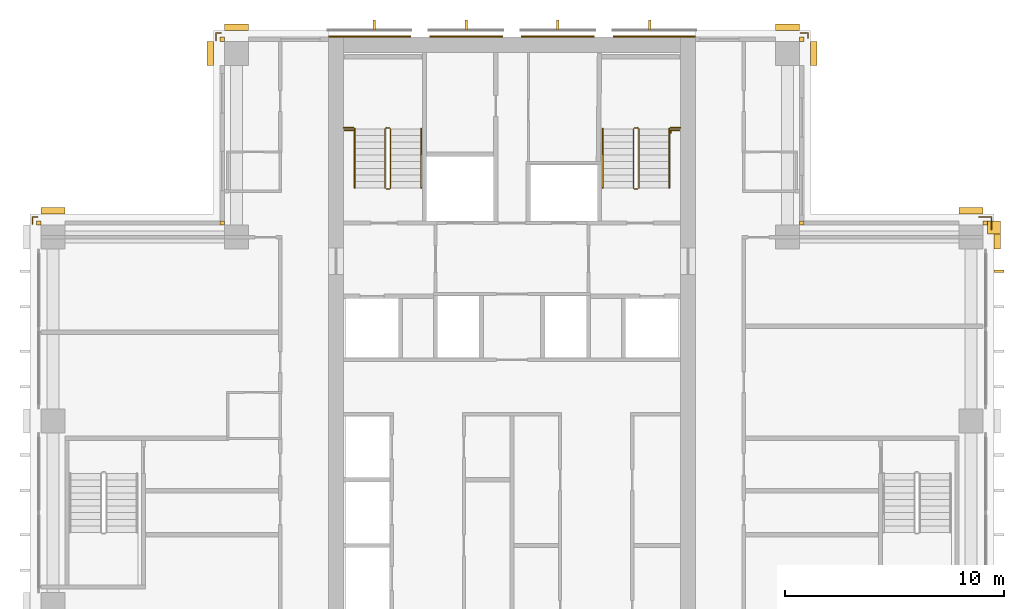
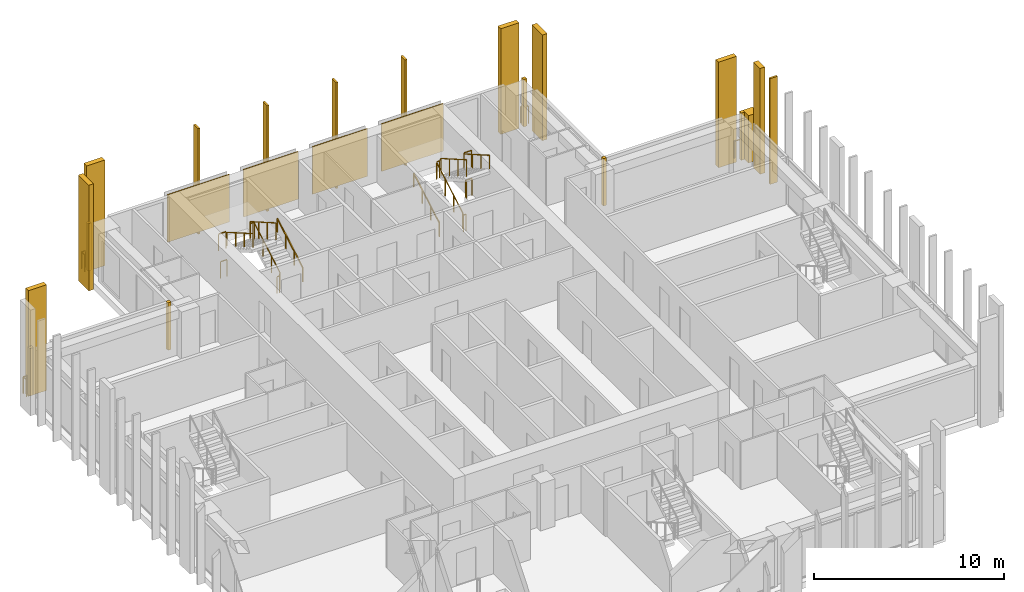
# One storey, part 16 of 16: 23 coverings, 14 railings.
"""IFC4 building model written with IfcOpenShell, lengths in metres."""

from ifc_helpers import new_model, si_unit, direction, frame, origin, origin_2d, place, context, subcontext, project, spatial, polyline, rectangle, outline, extrude, material, layer, layer_set, type_object, element, save


model = new_model("IFC4")

# Units and contexts
model_context = context("Model", 3, precision=1e-05, world=origin(), true_north=direction((0.0, 1.0)))
body_context = subcontext(model_context, "Body", "Model", "MODEL_VIEW")
ifc_project = project(units=[si_unit("LENGTHUNIT", "METRE"), si_unit("AREAUNIT", "SQUARE_METRE"), si_unit("VOLUMEUNIT", "CUBIC_METRE"), si_unit("PLANEANGLEUNIT", "RADIAN"), si_unit("MASSUNIT", "GRAM", prefix="KILO")], contexts=[model_context])

# Site, building, storey
site_placement = place(None, origin())
site = spatial("IfcSite", under=ifc_project, at=site_placement, CompositionType="ELEMENT")
building_placement = place(site_placement, origin())
building = spatial("IfcBuilding", under=site, at=building_placement, Name="Vermilion Ogive Tower", CompositionType="ELEMENT")
storey_placement = place(building_placement, frame((0.0, 0.0, 164.14990234375)))
storey = spatial("IfcBuildingStorey", under=building, at=storey_placement, Name="L42", CompositionType="ELEMENT", Elevation=164.14990234375)

# Coverings
ifc_material_1 = material(Name="Glazed ceramic screen")
ifc_layer = layer(ifc_material_1, 0.14990234375)
ifc_layer_set = layer_set([ifc_layer], Name="Ceramic solar screen fin")
covering_type_1 = type_object("IfcCoveringType", Name="Ceramic solar screen fin", PredefinedType="CLADDING", material=ifc_layer_set)
covering_1_placement = place(storey_placement, frame((0.0, 0.0, -0.39990234375)))
element("IfcCovering", 1, at=covering_1_placement, inside=storey, type_object=covering_type_1, Name="Solar screen blade E022", PredefinedType="CLADDING", context=body_context, shape_type="SweptSolid", body=[
    extrude(outline(polyline([(22.5, 10.9775390625), (22.5, 11.097412109375), (22.050048828125, 11.097412109375), (22.050048828125, 10.9775390625), (22.5, 10.9775390625)])), origin(), (0.0, 0.0, 1.0), 6.800048828125),
])
covering_2_placement = place(storey_placement, frame((0.0, 0.0, -0.39990234375)))
element("IfcCovering", 2, at=covering_2_placement, inside=storey, type_object=covering_type_1, Name="Solar screen blade N1", PredefinedType="CLADDING", context=body_context, shape_type="SweptSolid", body=[
    extrude(outline(polyline([(-6.360107421875, 22.08203125), (-6.239990234375, 22.08203125), (-6.239990234375, 22.531982421875), (-6.360107421875, 22.531982421875), (-6.360107421875, 22.08203125)])), origin(), (0.0, 0.0, 1.0), 6.800048828125),
])
covering_3_placement = place(storey_placement, frame((0.0, 0.0, -0.39990234375)))
element("IfcCovering", 3, at=covering_3_placement, inside=storey, type_object=covering_type_1, Name="Solar screen blade N2", PredefinedType="CLADDING", context=body_context, shape_type="SweptSolid", body=[
    extrude(outline(polyline([(-2.159912109375, 22.08203125), (-2.0400390625, 22.08203125), (-2.0400390625, 22.531982421875), (-2.159912109375, 22.531982421875), (-2.159912109375, 22.08203125)])), origin(), (0.0, 0.0, 1.0), 6.800048828125),
])
covering_4_placement = place(storey_placement, frame((0.0, 0.0, -0.39990234375)))
element("IfcCovering", 4, at=covering_4_placement, inside=storey, type_object=covering_type_1, Name="Solar screen blade N3", PredefinedType="CLADDING", context=body_context, shape_type="SweptSolid", body=[
    extrude(outline(polyline([(2.0400390625, 22.08203125), (2.159912109375, 22.08203125), (2.159912109375, 22.531982421875), (2.0400390625, 22.531982421875), (2.0400390625, 22.08203125)])), origin(), (0.0, 0.0, 1.0), 6.800048828125),
])
covering_5_placement = place(storey_placement, frame((0.0, 0.0, -0.39990234375)))
element("IfcCovering", 5, at=covering_5_placement, inside=storey, type_object=covering_type_1, Name="Solar screen blade N4", PredefinedType="CLADDING", context=body_context, shape_type="SweptSolid", body=[
    extrude(outline(polyline([(6.239990234375, 22.08203125), (6.360107421875, 22.08203125), (6.360107421875, 22.531982421875), (6.239990234375, 22.531982421875), (6.239990234375, 22.08203125)])), origin(), (0.0, 0.0, 1.0), 6.800048828125),
])

# Railings
ifc_material_2 = material(Name="Stainless steel", Category="steel")
railing_type_1 = type_object("IfcRailingType", Name="Slab edge guard SG1", PredefinedType="GUARDRAIL", material=ifc_material_2)
railing_1_placement = place(storey_placement, frame((-21.929931640625, 13.199951171875, 0.0)))
element("IfcRailing", 6, at=railing_1_placement, inside=storey, type_object=railing_type_1, Name="L42 slab corner guard", PredefinedType="GUARDRAIL", context=body_context, shape_type="SweptSolid", body=[
    extrude(rectangle(XDim=0.050048828125, YDim=0.050048828125, at=origin_2d()), frame((0.0, 0.0, 1.0751953125), z_axis=(0.0, 1.0, 0.0), x_axis=(-1.0, 0.0, 0.0)), (0.0, 0.0, 1.0), 0.330078125),
    extrude(rectangle(XDim=0.050048828125, YDim=0.050048828125, at=origin_2d()), frame((0.0, 0.330078125, 1.0751953125), z_axis=(1.0, 0.0, 0.0), x_axis=(0.0, 1.0, 0.0)), (0.0, 0.0, 1.0), 0.22998046875),
    extrude(rectangle(XDim=0.050048828125, YDim=0.050048828125, at=origin_2d()), origin(), (0.0, 0.0, 1.0), 1.050048828125),
    extrude(rectangle(XDim=0.050048828125, YDim=0.050048828125, at=origin_2d()), frame((0.0, 0.330078125, 0.0)), (0.0, 0.0, 1.0), 1.050048828125),
    extrude(rectangle(XDim=0.050048828125, YDim=0.050048828125, at=origin_2d()), frame((0.22998046875, 0.330078125, 0.0)), (0.0, 0.0, 1.0), 1.050048828125),
])
railing_2_placement = place(storey_placement, frame((-13.530029296875, 21.60009765625, 0.0)))
element("IfcRailing", 7, at=railing_2_placement, inside=storey, type_object=railing_type_1, Name="L42 slab corner guard", PredefinedType="GUARDRAIL", context=body_context, shape_type="SweptSolid", body=[
    extrude(rectangle(XDim=0.050048828125, YDim=0.050048828125, at=origin_2d()), frame((0.0, 0.0, 1.0751953125), z_axis=(0.0, 1.0, 0.0), x_axis=(-1.0, 0.0, 0.0)), (0.0, 0.0, 1.0), 0.329833984375),
    extrude(rectangle(XDim=0.050048828125, YDim=0.050048828125, at=origin_2d()), frame((0.0, 0.329833984375, 1.0751953125), z_axis=(1.0, 0.0, 0.0), x_axis=(0.0, 1.0, 0.0)), (0.0, 0.0, 1.0), 0.22998046875),
    extrude(rectangle(XDim=0.050048828125, YDim=0.050048828125, at=origin_2d()), origin(), (0.0, 0.0, 1.0), 1.050048828125),
    extrude(rectangle(XDim=0.050048828125, YDim=0.050048828125, at=origin_2d()), frame((0.0, 0.329833984375, 0.0)), (0.0, 0.0, 1.0), 1.050048828125),
    extrude(rectangle(XDim=0.050048828125, YDim=0.050048828125, at=origin_2d()), frame((0.22998046875, 0.329833984375, 0.0)), (0.0, 0.0, 1.0), 1.050048828125),
])
railing_3_placement = place(storey_placement, frame((13.199951171875, 21.929931640625, 0.0)))
element("IfcRailing", 8, at=railing_3_placement, inside=storey, type_object=railing_type_1, Name="L42 slab corner guard", PredefinedType="GUARDRAIL", context=body_context, shape_type="SweptSolid", body=[
    extrude(rectangle(XDim=0.050048828125, YDim=0.050048828125, at=origin_2d()), frame((0.0, 0.0, 1.0751953125), z_axis=(1.0, 0.0, 0.0), x_axis=(0.0, 1.0, 0.0)), (0.0, 0.0, 1.0), 0.330078125),
    extrude(rectangle(XDim=0.050048828125, YDim=0.050048828125, at=origin_2d()), frame((0.330078125, 0.0, 1.0751953125), z_axis=(0.0, -1.0, 0.0), x_axis=(1.0, 0.0, 0.0)), (0.0, 0.0, 1.0), 0.22998046875),
    extrude(rectangle(XDim=0.050048828125, YDim=0.050048828125, at=origin_2d()), origin(), (0.0, 0.0, 1.0), 1.050048828125),
    extrude(rectangle(XDim=0.050048828125, YDim=0.050048828125, at=origin_2d()), frame((0.330078125, 0.0, 0.0)), (0.0, 0.0, 1.0), 1.050048828125),
    extrude(rectangle(XDim=0.050048828125, YDim=0.050048828125, at=origin_2d()), frame((0.330078125, -0.22998046875, 0.0)), (0.0, 0.0, 1.0), 1.050048828125),
])
railing_4_placement = place(storey_placement, frame((21.929931640625, 12.949951171875, 0.0)))
element("IfcRailing", 9, at=railing_4_placement, inside=storey, type_object=railing_type_1, Name="L42 slab corner guard", PredefinedType="GUARDRAIL", context=body_context, shape_type="SweptSolid", body=[
    extrude(rectangle(XDim=0.050048828125, YDim=0.050048828125, at=origin_2d()), frame((0.0, 0.0, 1.0751953125), z_axis=(0.0, 1.0, 0.0), x_axis=(-1.0, 0.0, 0.0)), (0.0, 0.0, 1.0), 0.580078125),
    extrude(rectangle(XDim=0.050048828125, YDim=0.050048828125, at=origin_2d()), frame((0.0, 0.580078125, 1.0751953125), z_axis=(-1.0, 0.0, 0.0), x_axis=(0.0, -1.0, 0.0)), (0.0, 0.0, 1.0), 0.579833984375),
    extrude(rectangle(XDim=0.050048828125, YDim=0.050048828125, at=origin_2d()), origin(), (0.0, 0.0, 1.0), 1.050048828125),
    extrude(rectangle(XDim=0.050048828125, YDim=0.050048828125, at=origin_2d()), frame((0.0, 0.580078125, 0.0)), (0.0, 0.0, 1.0), 1.050048828125),
    extrude(rectangle(XDim=0.050048828125, YDim=0.050048828125, at=origin_2d()), frame((-0.579833984375, 0.580078125, 0.0)), (0.0, 0.0, 1.0), 1.050048828125),
])
ifc_material_3 = material(Name="Steel S355 painted", Category="steel")
railing_type_2 = type_object("IfcRailingType", Name="Stair guard 1100", PredefinedType="GUARDRAIL", material=ifc_material_3)
railing_5_placement = place(storey_placement, frame((-5.75, 14.800048828125, 0.0)))
element("IfcRailing", 10, at=railing_5_placement, inside=storey, type_object=railing_type_2, Name="L42 ST1 stair guard 4", PredefinedType="GUARDRAIL", context=body_context, shape_type="SweptSolid", body=[
    extrude(rectangle(XDim=0.048095703125, YDim=0.048095703125, at=origin_2d()), frame((0.0, 0.0, 1.076171875), z_axis=(1.0, 0.0, 0.0), x_axis=(0.0, 1.0, 0.0)), (0.0, 0.0, 1.0), 0.14990234375),
    extrude(rectangle(XDim=0.048095703125, YDim=0.048095703125, at=origin_2d()), frame((0.14990234375, 0.0, 1.076171875), z_axis=(0.268277960024, 0.268277960024, 0.925231793839), x_axis=(-0.707106781187, 0.707106781187, 0.0)), (0.0, 0.0, 1.0), 0.1865234375),
    extrude(rectangle(XDim=0.048095703125, YDim=0.048095703125, at=origin_2d()), frame((0.199951171875, 0.050048828125, 1.24853515625), z_axis=(0.0, 0.866903762492, 0.498475542607), x_axis=(-1.0, 0.0, 0.0)), (0.0, 0.0, 1.0), 3.114501953125),
    extrude(rectangle(XDim=0.048095703125, YDim=0.048095703125, at=origin_2d()), frame((0.199951171875, 2.75, 2.80126953125), z_axis=(-0.707106781187, 0.707106781187, 0.0), x_axis=(-0.707106781187, -0.707106781187, 0.0)), (0.0, 0.0, 1.0), 0.07080078125),
    extrude(rectangle(XDim=0.048095703125, YDim=0.048095703125, at=origin_2d()), frame((0.14990234375, 2.800048828125, 2.80126953125), z_axis=(-1.0, 0.0, 0.0), x_axis=(0.0, -1.0, 0.0)), (0.0, 0.0, 1.0), 0.14990234375),
    extrude(rectangle(XDim=0.048095703125, YDim=0.048095703125, at=origin_2d()), frame((0.0, 2.800048828125, 2.80126953125), z_axis=(-0.268277960024, -0.268277960024, 0.925231793839), x_axis=(0.707106781187, -0.707106781187, 0.0)), (0.0, 0.0, 1.0), 0.1865234375),
    extrude(rectangle(XDim=0.048095703125, YDim=0.048095703125, at=origin_2d()), frame((-0.050048828125, 2.75, 2.9736328125), z_axis=(0.0, -0.866903762492, 0.498475542607), x_axis=(1.0, 0.0, 0.0)), (0.0, 0.0, 1.0), 3.114501953125),
    extrude(rectangle(XDim=0.0419921875, YDim=0.0419921875, at=origin_2d()), origin(), (0.0, 0.0, 1.0), 1.052001953125),
    extrude(rectangle(XDim=0.0419921875, YDim=0.0419921875, at=origin_2d()), frame((0.14990234375, 0.0, 0.0)), (0.0, 0.0, 1.0), 1.052001953125),
    extrude(rectangle(XDim=0.0419921875, YDim=0.0419921875, at=origin_2d()), frame((0.199951171875, 0.050048828125, 0.172607421875)), (0.0, 0.0, 1.0), 1.052001953125),
    extrude(rectangle(XDim=0.0419921875, YDim=0.0419921875, at=origin_2d()), frame((0.199951171875, 0.949951171875, 0.690185546875)), (0.0, 0.0, 1.0), 1.052001953125),
    extrude(rectangle(XDim=0.0419921875, YDim=0.0419921875, at=origin_2d()), frame((0.199951171875, 1.85009765625, 1.20751953125)), (0.0, 0.0, 1.0), 1.052001953125),
    extrude(rectangle(XDim=0.0419921875, YDim=0.0419921875, at=origin_2d()), frame((0.199951171875, 2.75, 1.72509765625)), (0.0, 0.0, 1.0), 1.052001953125),
    extrude(rectangle(XDim=0.0419921875, YDim=0.0419921875, at=origin_2d()), frame((0.14990234375, 2.800048828125, 1.72509765625)), (0.0, 0.0, 1.0), 1.052001953125),
    extrude(rectangle(XDim=0.0419921875, YDim=0.0419921875, at=origin_2d()), frame((0.0, 2.800048828125, 1.72509765625)), (0.0, 0.0, 1.0), 1.052001953125),
    extrude(rectangle(XDim=0.0419921875, YDim=0.0419921875, at=origin_2d()), frame((-0.050048828125, 2.75, 1.897705078125)), (0.0, 0.0, 1.0), 1.052001953125),
    extrude(rectangle(XDim=0.0419921875, YDim=0.0419921875, at=origin_2d()), frame((-0.050048828125, 1.85009765625, 2.415283203125)), (0.0, 0.0, 1.0), 1.052001953125),
    extrude(rectangle(XDim=0.0419921875, YDim=0.0419921875, at=origin_2d()), frame((-0.050048828125, 0.949951171875, 2.9326171875)), (0.0, 0.0, 1.0), 1.052001953125),
    extrude(rectangle(XDim=0.0419921875, YDim=0.0419921875, at=origin_2d()), frame((-0.050048828125, 0.050048828125, 3.4501953125)), (0.0, 0.0, 1.0), 1.052001953125),
])
railing_6_placement = place(storey_placement, frame((5.75, 14.800048828125, 0.0)))
element("IfcRailing", 11, at=railing_6_placement, inside=storey, type_object=railing_type_2, Name="L42 ST2 stair guard 4", PredefinedType="GUARDRAIL", context=body_context, shape_type="SweptSolid", body=[
    extrude(rectangle(XDim=0.048095703125, YDim=0.048095703125, at=origin_2d()), frame((0.0, 0.0, 1.076171875), z_axis=(-1.0, 0.0, 0.0), x_axis=(0.0, -1.0, 0.0)), (0.0, 0.0, 1.0), 0.14990234375),
    extrude(rectangle(XDim=0.048095703125, YDim=0.048095703125, at=origin_2d()), frame((-0.14990234375, 0.0, 1.076171875), z_axis=(-0.268277960024, 0.268277960024, 0.925231793839), x_axis=(-0.707106781187, -0.707106781187, 0.0)), (0.0, 0.0, 1.0), 0.1865234375),
    extrude(rectangle(XDim=0.048095703125, YDim=0.048095703125, at=origin_2d()), frame((-0.199951171875, 0.050048828125, 1.24853515625), z_axis=(0.0, 0.866903762492, 0.498475542607), x_axis=(-1.0, 0.0, 0.0)), (0.0, 0.0, 1.0), 3.114501953125),
    extrude(rectangle(XDim=0.048095703125, YDim=0.048095703125, at=origin_2d()), frame((-0.199951171875, 2.75, 2.80126953125), z_axis=(0.707106781187, 0.707106781187, 0.0), x_axis=(-0.707106781187, 0.707106781187, 0.0)), (0.0, 0.0, 1.0), 0.07080078125),
    extrude(rectangle(XDim=0.048095703125, YDim=0.048095703125, at=origin_2d()), frame((-0.14990234375, 2.800048828125, 2.80126953125), z_axis=(1.0, 0.0, 0.0), x_axis=(0.0, 1.0, 0.0)), (0.0, 0.0, 1.0), 0.14990234375),
    extrude(rectangle(XDim=0.048095703125, YDim=0.048095703125, at=origin_2d()), frame((0.0, 2.800048828125, 2.80126953125), z_axis=(0.268277960024, -0.268277960024, 0.925231793839), x_axis=(0.707106781187, 0.707106781187, 0.0)), (0.0, 0.0, 1.0), 0.1865234375),
    extrude(rectangle(XDim=0.048095703125, YDim=0.048095703125, at=origin_2d()), frame((0.050048828125, 2.75, 2.9736328125), z_axis=(0.0, -0.866903762492, 0.498475542607), x_axis=(1.0, 0.0, 0.0)), (0.0, 0.0, 1.0), 3.114501953125),
    extrude(rectangle(XDim=0.0419921875, YDim=0.0419921875, at=origin_2d()), origin(), (0.0, 0.0, 1.0), 1.052001953125),
    extrude(rectangle(XDim=0.0419921875, YDim=0.0419921875, at=origin_2d()), frame((-0.14990234375, 0.0, 0.0)), (0.0, 0.0, 1.0), 1.052001953125),
    extrude(rectangle(XDim=0.0419921875, YDim=0.0419921875, at=origin_2d()), frame((-0.199951171875, 0.050048828125, 0.172607421875)), (0.0, 0.0, 1.0), 1.052001953125),
    extrude(rectangle(XDim=0.0419921875, YDim=0.0419921875, at=origin_2d()), frame((-0.199951171875, 0.949951171875, 0.690185546875)), (0.0, 0.0, 1.0), 1.052001953125),
    extrude(rectangle(XDim=0.0419921875, YDim=0.0419921875, at=origin_2d()), frame((-0.199951171875, 1.85009765625, 1.20751953125)), (0.0, 0.0, 1.0), 1.052001953125),
    extrude(rectangle(XDim=0.0419921875, YDim=0.0419921875, at=origin_2d()), frame((-0.199951171875, 2.75, 1.72509765625)), (0.0, 0.0, 1.0), 1.052001953125),
    extrude(rectangle(XDim=0.0419921875, YDim=0.0419921875, at=origin_2d()), frame((-0.14990234375, 2.800048828125, 1.72509765625)), (0.0, 0.0, 1.0), 1.052001953125),
    extrude(rectangle(XDim=0.0419921875, YDim=0.0419921875, at=origin_2d()), frame((0.0, 2.800048828125, 1.72509765625)), (0.0, 0.0, 1.0), 1.052001953125),
    extrude(rectangle(XDim=0.0419921875, YDim=0.0419921875, at=origin_2d()), frame((0.050048828125, 2.75, 1.897705078125)), (0.0, 0.0, 1.0), 1.052001953125),
    extrude(rectangle(XDim=0.0419921875, YDim=0.0419921875, at=origin_2d()), frame((0.050048828125, 1.85009765625, 2.415283203125)), (0.0, 0.0, 1.0), 1.052001953125),
    extrude(rectangle(XDim=0.0419921875, YDim=0.0419921875, at=origin_2d()), frame((0.050048828125, 0.949951171875, 2.9326171875)), (0.0, 0.0, 1.0), 1.052001953125),
    extrude(rectangle(XDim=0.0419921875, YDim=0.0419921875, at=origin_2d()), frame((0.050048828125, 0.050048828125, 3.4501953125)), (0.0, 0.0, 1.0), 1.052001953125),
])
for number, where, name in (
    (12, (-7.699951171875, 17.60009765625, 1.72509765625), "L42 landing guard"),
    (13, (7.25, 17.60009765625, 1.72509765625), "L42 landing guard"),
):
    element("IfcRailing", number, at=place(storey_placement, frame(where)), inside=storey, type_object=railing_type_2, Name=name, PredefinedType="GUARDRAIL", context=body_context, shape_type="SweptSolid", body=[
        extrude(rectangle(XDim=0.048095703125, YDim=0.048095703125, at=origin_2d()), frame((0.0, 0.0, 1.076171875), z_axis=(1.0, 0.0, 0.0), x_axis=(0.0, 1.0, 0.0)), (0.0, 0.0, 1.0), 0.449951171875),
        extrude(rectangle(XDim=0.0419921875, YDim=0.0419921875, at=origin_2d()), origin(), (0.0, 0.0, 1.0), 1.052001953125),
        extrude(rectangle(XDim=0.0419921875, YDim=0.0419921875, at=origin_2d()), frame((0.449951171875, 0.0, 0.0)), (0.0, 0.0, 1.0), 1.052001953125),
    ])
railing_7_placement = place(storey_placement, frame((-7.639892578125, 17.489990234375, 0.0)))
element("IfcRailing", 14, at=railing_7_placement, inside=storey, type_object=railing_type_2, Name="L42 stair opening guard", PredefinedType="GUARDRAIL", context=body_context, shape_type="SweptSolid", body=[
    extrude(rectangle(XDim=0.048095703125, YDim=0.048095703125, at=origin_2d()), frame((0.0, 0.0, 1.076171875), z_axis=(1.0, 0.0, 0.0), x_axis=(0.0, 1.0, 0.0)), (0.0, 0.0, 1.0), 0.389892578125),
    extrude(rectangle(XDim=0.0419921875, YDim=0.0419921875, at=origin_2d()), origin(), (0.0, 0.0, 1.0), 1.052001953125),
    extrude(rectangle(XDim=0.0419921875, YDim=0.0419921875, at=origin_2d()), frame((0.389892578125, 0.0, 0.0)), (0.0, 0.0, 1.0), 1.052001953125),
])
railing_8_placement = place(storey_placement, frame((7.267578125, 17.372802734375, 0.0)))
element("IfcRailing", 15, at=railing_8_placement, inside=storey, type_object=railing_type_2, Name="L42 stair opening guard", PredefinedType="GUARDRAIL", context=body_context, shape_type="SweptSolid", body=[
    extrude(rectangle(XDim=0.048095703125, YDim=0.048095703125, at=origin_2d()), frame((0.0, 0.0, 1.076171875), z_axis=(0.0, 1.0, 0.0), x_axis=(-1.0, 0.0, 0.0)), (0.0, 0.0, 1.0), 0.119873046875),
    extrude(rectangle(XDim=0.048095703125, YDim=0.048095703125, at=origin_2d()), frame((0.0, 0.119873046875, 1.076171875), z_axis=(1.0, 0.0, 0.0), x_axis=(0.0, 1.0, 0.0)), (0.0, 0.0, 1.0), 0.39013671875),
    extrude(rectangle(XDim=0.0419921875, YDim=0.0419921875, at=origin_2d()), origin(), (0.0, 0.0, 1.0), 1.052001953125),
    extrude(rectangle(XDim=0.0419921875, YDim=0.0419921875, at=origin_2d()), frame((0.0, 0.119873046875, 0.0)), (0.0, 0.0, 1.0), 1.052001953125),
    extrude(rectangle(XDim=0.0419921875, YDim=0.0419921875, at=origin_2d()), frame((0.39013671875, 0.119873046875, 0.0)), (0.0, 0.0, 1.0), 1.052001953125),
])
ifc_material_4 = material(Name="Stainless steel", Category="steel")
railing_type_3 = type_object("IfcRailingType", Name="Stair handrail 900", PredefinedType="HANDRAIL", material=ifc_material_4)
railing_9_placement = place(storey_placement, frame((-4.14990234375, 14.85009765625, 0.172607421875)))
element("IfcRailing", 16, at=railing_9_placement, inside=storey, type_object=railing_type_3, Name="L42 ST1 stair handrail 1", PredefinedType="HANDRAIL", context=body_context, shape_type="SweptSolid", body=[
    extrude(rectangle(XDim=0.048095703125, YDim=0.048095703125, at=origin_2d()), frame((0.0, 0.0, 0.8759765625), z_axis=(0.0, 0.866903762492, 0.498475542607), x_axis=(-1.0, 0.0, 0.0)), (0.0, 0.0, 1.0), 3.114501953125),
    extrude(rectangle(XDim=0.0419921875, YDim=0.0419921875, at=origin_2d()), origin(), (0.0, 0.0, 1.0), 0.851806640625),
    extrude(rectangle(XDim=0.0419921875, YDim=0.0419921875, at=origin_2d()), frame((0.0, 0.89990234375, 0.517578125)), (0.0, 0.0, 1.0), 0.851806640625),
    extrude(rectangle(XDim=0.0419921875, YDim=0.0419921875, at=origin_2d()), frame((0.0, 1.800048828125, 1.034912109375)), (0.0, 0.0, 1.0), 0.851806640625),
    extrude(rectangle(XDim=0.0419921875, YDim=0.0419921875, at=origin_2d()), frame((0.0, 2.699951171875, 1.552490234375)), (0.0, 0.0, 1.0), 0.851806640625),
])
railing_10_placement = place(storey_placement, frame((-7.199951171875, 17.550048828125, 1.897705078125)))
element("IfcRailing", 17, at=railing_10_placement, inside=storey, type_object=railing_type_3, Name="L42 ST1 stair handrail 2", PredefinedType="HANDRAIL", context=body_context, shape_type="SweptSolid", body=[
    extrude(rectangle(XDim=0.048095703125, YDim=0.048095703125, at=origin_2d()), frame((0.0, 0.0, 0.8759765625), z_axis=(0.0, -0.866903762492, 0.498475542607), x_axis=(1.0, 0.0, 0.0)), (0.0, 0.0, 1.0), 3.114501953125),
    extrude(rectangle(XDim=0.0419921875, YDim=0.0419921875, at=origin_2d()), origin(), (0.0, 0.0, 1.0), 0.851806640625),
    extrude(rectangle(XDim=0.0419921875, YDim=0.0419921875, at=origin_2d()), frame((0.0, -0.89990234375, 0.517578125)), (0.0, 0.0, 1.0), 0.851806640625),
    extrude(rectangle(XDim=0.0419921875, YDim=0.0419921875, at=origin_2d()), frame((0.0, -1.800048828125, 1.034912109375)), (0.0, 0.0, 1.0), 0.851806640625),
    extrude(rectangle(XDim=0.0419921875, YDim=0.0419921875, at=origin_2d()), frame((0.0, -2.699951171875, 1.552490234375)), (0.0, 0.0, 1.0), 0.851806640625),
])
railing_11_placement = place(storey_placement, frame((4.14990234375, 14.85009765625, 0.172607421875)))
element("IfcRailing", 18, at=railing_11_placement, inside=storey, type_object=railing_type_3, Name="L42 ST2 stair handrail 1", PredefinedType="HANDRAIL", context=body_context, shape_type="SweptSolid", body=[
    extrude(rectangle(XDim=0.048095703125, YDim=0.048095703125, at=origin_2d()), frame((0.0, 0.0, 0.8759765625), z_axis=(0.0, 0.866903762492, 0.498475542607), x_axis=(-1.0, 0.0, 0.0)), (0.0, 0.0, 1.0), 3.114501953125),
    extrude(rectangle(XDim=0.0419921875, YDim=0.0419921875, at=origin_2d()), origin(), (0.0, 0.0, 1.0), 0.851806640625),
    extrude(rectangle(XDim=0.0419921875, YDim=0.0419921875, at=origin_2d()), frame((0.0, 0.89990234375, 0.517578125)), (0.0, 0.0, 1.0), 0.851806640625),
    extrude(rectangle(XDim=0.0419921875, YDim=0.0419921875, at=origin_2d()), frame((0.0, 1.800048828125, 1.034912109375)), (0.0, 0.0, 1.0), 0.851806640625),
    extrude(rectangle(XDim=0.0419921875, YDim=0.0419921875, at=origin_2d()), frame((0.0, 2.699951171875, 1.552490234375)), (0.0, 0.0, 1.0), 0.851806640625),
])
railing_12_placement = place(storey_placement, frame((7.199951171875, 17.550048828125, 1.897705078125)))
element("IfcRailing", 19, at=railing_12_placement, inside=storey, type_object=railing_type_3, Name="L42 ST2 stair handrail 2", PredefinedType="HANDRAIL", context=body_context, shape_type="SweptSolid", body=[
    extrude(rectangle(XDim=0.048095703125, YDim=0.048095703125, at=origin_2d()), frame((0.0, 0.0, 0.8759765625), z_axis=(0.0, -0.866903762492, 0.498475542607), x_axis=(1.0, 0.0, 0.0)), (0.0, 0.0, 1.0), 3.114501953125),
    extrude(rectangle(XDim=0.0419921875, YDim=0.0419921875, at=origin_2d()), origin(), (0.0, 0.0, 1.0), 0.851806640625),
    extrude(rectangle(XDim=0.0419921875, YDim=0.0419921875, at=origin_2d()), frame((0.0, -0.89990234375, 0.517578125)), (0.0, 0.0, 1.0), 0.851806640625),
    extrude(rectangle(XDim=0.0419921875, YDim=0.0419921875, at=origin_2d()), frame((0.0, -1.800048828125, 1.034912109375)), (0.0, 0.0, 1.0), 0.851806640625),
    extrude(rectangle(XDim=0.0419921875, YDim=0.0419921875, at=origin_2d()), frame((0.0, -2.699951171875, 1.552490234375)), (0.0, 0.0, 1.0), 0.851806640625),
])

# Coverings
ifc_material_5 = material(Name="Stone cladding", Category="masonry")
covering_type_2 = type_object("IfcCoveringType", Name="Stone cladding panel", PredefinedType="CLADDING", material=ifc_material_5)
covering_6_placement = place(storey_placement, origin())
element("IfcCovering", 20, at=covering_6_placement, inside=storey, type_object=covering_type_2, Name="Stone cladding panel N1", PredefinedType="CLADDING", context=body_context, shape_type="SweptSolid", body=[
    extrude(outline(polyline([(-8.389892578125, 21.75), (-4.6298828125, 21.75), (-4.6298828125, 21.81005859375), (-8.389892578125, 21.81005859375), (-8.389892578125, 21.75)])), origin(), (0.0, 0.0, 1.0), 3.050048828125),
])
covering_7_placement = place(storey_placement, origin())
element("IfcCovering", 21, at=covering_7_placement, inside=storey, type_object=covering_type_2, Name="Stone cladding panel N2", PredefinedType="CLADDING", context=body_context, shape_type="SweptSolid", body=[
    extrude(outline(polyline([(-3.77001953125, 21.75), (-0.429931640625, 21.75), (-0.429931640625, 21.81005859375), (-3.77001953125, 21.81005859375), (-3.77001953125, 21.75)])), origin(), (0.0, 0.0, 1.0), 3.050048828125),
])
covering_8_placement = place(storey_placement, origin())
element("IfcCovering", 22, at=covering_8_placement, inside=storey, type_object=covering_type_2, Name="Stone cladding panel N3", PredefinedType="CLADDING", context=body_context, shape_type="SweptSolid", body=[
    extrude(outline(polyline([(0.429931640625, 21.75), (3.77001953125, 21.75), (3.77001953125, 21.81005859375), (0.429931640625, 21.81005859375), (0.429931640625, 21.75)])), origin(), (0.0, 0.0, 1.0), 3.050048828125),
])
covering_9_placement = place(storey_placement, origin())
element("IfcCovering", 23, at=covering_9_placement, inside=storey, type_object=covering_type_2, Name="Stone cladding panel N4", PredefinedType="CLADDING", context=body_context, shape_type="SweptSolid", body=[
    extrude(outline(polyline([(4.6298828125, 21.75), (8.389892578125, 21.75), (8.389892578125, 21.81005859375), (4.6298828125, 21.81005859375), (4.6298828125, 21.75)])), origin(), (0.0, 0.0, 1.0), 3.050048828125),
])
ifc_material_6 = material(Name="Stone cladding", Category="masonry")
covering_type_3 = type_object("IfcCoveringType", Name="Stone corner buttress", PredefinedType="CLADDING", material=ifc_material_6)
covering_10_placement = place(storey_placement, origin())
element("IfcCovering", 24, at=covering_10_placement, inside=storey, type_object=covering_type_3, Name="Stone crease pier EK", PredefinedType="CLADDING", context=body_context, shape_type="SweptSolid", body=[
    extrude(outline(polyline([(22.35009765625, 12.75), (22.35009765625, 13.35009765625), (21.75, 13.35009765625), (21.75, 12.75), (22.35009765625, 12.75)])), origin(), (0.0, 0.0, 1.0), 3.050048828125),
])
ifc_material_7 = material(Name="Stone cladding", Category="masonry")
covering_type_4 = type_object("IfcCoveringType", Name="Stone pier", PredefinedType="CLADDING", material=ifc_material_7)
covering_11_placement = place(storey_placement, origin())
element("IfcCovering", 25, at=covering_11_placement, inside=storey, type_object=covering_type_4, Name="Stone corner pier EE1", PredefinedType="CLADDING", context=body_context, shape_type="SweptSolid", body=[
    extrude(outline(polyline([(21.75, 13.14990234375), (21.550048828125, 13.14990234375), (21.550048828125, 13.35009765625), (21.75, 13.35009765625), (21.75, 13.14990234375)])), origin(), (0.0, 0.0, 1.0), 3.050048828125),
])
covering_12_placement = place(storey_placement, origin())
element("IfcCovering", 26, at=covering_12_placement, inside=storey, type_object=covering_type_4, Name="Stone corner pier X3E1", PredefinedType="CLADDING", context=body_context, shape_type="SweptSolid", body=[
    extrude(outline(polyline([(13.14990234375, 13.14990234375), (13.14990234375, 13.35009765625), (13.35009765625, 13.35009765625), (13.35009765625, 13.14990234375), (13.14990234375, 13.14990234375)])), origin(), (0.0, 0.0, 1.0), 3.050048828125),
])
covering_13_placement = place(storey_placement, origin())
element("IfcCovering", 27, at=covering_13_placement, inside=storey, type_object=covering_type_4, Name="Stone corner pier X4E1", PredefinedType="CLADDING", context=body_context, shape_type="SweptSolid", body=[
    extrude(outline(polyline([(13.35009765625, 21.550048828125), (13.14990234375, 21.550048828125), (13.14990234375, 21.75), (13.35009765625, 21.75), (13.35009765625, 21.550048828125)])), origin(), (0.0, 0.0, 1.0), 3.050048828125),
])
covering_14_placement = place(storey_placement, origin())
element("IfcCovering", 28, at=covering_14_placement, inside=storey, type_object=covering_type_4, Name="Stone corner pier N2E1", PredefinedType="CLADDING", context=body_context, shape_type="SweptSolid", body=[
    extrude(outline(polyline([(-13.14990234375, 21.75), (-13.14990234375, 21.550048828125), (-13.35009765625, 21.550048828125), (-13.35009765625, 21.75), (-13.14990234375, 21.75)])), origin(), (0.0, 0.0, 1.0), 3.050048828125),
])
covering_15_placement = place(storey_placement, origin())
element("IfcCovering", 29, at=covering_15_placement, inside=storey, type_object=covering_type_4, Name="Stone corner pier X5E1", PredefinedType="CLADDING", context=body_context, shape_type="SweptSolid", body=[
    extrude(outline(polyline([(-13.14990234375, 13.14990234375), (-13.35009765625, 13.14990234375), (-13.35009765625, 13.35009765625), (-13.14990234375, 13.35009765625), (-13.14990234375, 13.14990234375)])), origin(), (0.0, 0.0, 1.0), 3.050048828125),
])
covering_16_placement = place(storey_placement, origin())
element("IfcCovering", 30, at=covering_16_placement, inside=storey, type_object=covering_type_4, Name="Stone corner pier X6E1", PredefinedType="CLADDING", context=body_context, shape_type="SweptSolid", body=[
    extrude(outline(polyline([(-21.550048828125, 13.35009765625), (-21.550048828125, 13.14990234375), (-21.75, 13.14990234375), (-21.75, 13.35009765625), (-21.550048828125, 13.35009765625)])), origin(), (0.0, 0.0, 1.0), 3.050048828125),
])
covering_17_placement = place(storey_placement, frame((0.0, 0.0, -0.39990234375)))
element("IfcCovering", 31, at=covering_17_placement, inside=storey, type_object=covering_type_4, Name="Stone pier P+0126+210X4", PredefinedType="CLADDING", context=body_context, shape_type="SweptSolid", body=[
    extrude(outline(polyline([(13.949951171875, 21.550048828125), (13.949951171875, 20.449951171875), (13.64990234375, 20.449951171875), (13.64990234375, 21.550048828125), (13.949951171875, 21.550048828125)])), origin(), (0.0, 0.0, 1.0), 6.800048828125),
])
covering_18_placement = place(storey_placement, frame((0.0, 0.0, -0.39990234375)))
element("IfcCovering", 32, at=covering_18_placement, inside=storey, type_object=covering_type_4, Name="Stone pier P+0126+210N1", PredefinedType="CLADDING", context=body_context, shape_type="SweptSolid", body=[
    extrude(outline(polyline([(13.14990234375, 22.35009765625), (13.14990234375, 22.050048828125), (12.050048828125, 22.050048828125), (12.050048828125, 22.35009765625), (13.14990234375, 22.35009765625)])), origin(), (0.0, 0.0, 1.0), 6.800048828125),
])
covering_19_placement = place(storey_placement, frame((0.0, 0.0, -0.39990234375)))
element("IfcCovering", 33, at=covering_19_placement, inside=storey, type_object=covering_type_4, Name="Stone pier P+0210+126E", PredefinedType="CLADDING", context=body_context, shape_type="SweptSolid", body=[
    extrude(outline(polyline([(22.35009765625, 12.050048828125), (22.050048828125, 12.050048828125), (22.050048828125, 12.75), (22.35009765625, 12.75), (22.35009765625, 12.050048828125)])), origin(), (0.0, 0.0, 1.0), 6.800048828125),
])
covering_20_placement = place(storey_placement, frame((0.0, 0.0, -0.39990234375)))
element("IfcCovering", 34, at=covering_20_placement, inside=storey, type_object=covering_type_4, Name="Stone pier P+0210+126X3", PredefinedType="CLADDING", context=body_context, shape_type="SweptSolid", body=[
    extrude(outline(polyline([(21.550048828125, 13.949951171875), (21.550048828125, 13.64990234375), (20.449951171875, 13.64990234375), (20.449951171875, 13.949951171875), (21.550048828125, 13.949951171875)])), origin(), (0.0, 0.0, 1.0), 6.800048828125),
])
covering_21_placement = place(storey_placement, frame((0.0, 0.0, -0.39990234375)))
element("IfcCovering", 35, at=covering_21_placement, inside=storey, type_object=covering_type_4, Name="Stone pier P-0126+210N2", PredefinedType="CLADDING", context=body_context, shape_type="SweptSolid", body=[
    extrude(outline(polyline([(-13.14990234375, 22.35009765625), (-12.050048828125, 22.35009765625), (-12.050048828125, 22.050048828125), (-13.14990234375, 22.050048828125), (-13.14990234375, 22.35009765625)])), origin(), (0.0, 0.0, 1.0), 6.800048828125),
])
covering_22_placement = place(storey_placement, frame((0.0, 0.0, -0.39990234375)))
element("IfcCovering", 36, at=covering_22_placement, inside=storey, type_object=covering_type_4, Name="Stone pier P-0126+210X5", PredefinedType="CLADDING", context=body_context, shape_type="SweptSolid", body=[
    extrude(outline(polyline([(-13.949951171875, 21.550048828125), (-13.64990234375, 21.550048828125), (-13.64990234375, 20.449951171875), (-13.949951171875, 20.449951171875), (-13.949951171875, 21.550048828125)])), origin(), (0.0, 0.0, 1.0), 6.800048828125),
])
covering_23_placement = place(storey_placement, frame((0.0, 0.0, -0.39990234375)))
element("IfcCovering", 37, at=covering_23_placement, inside=storey, type_object=covering_type_4, Name="Stone pier P-0210+126X6", PredefinedType="CLADDING", context=body_context, shape_type="SweptSolid", body=[
    extrude(outline(polyline([(-21.550048828125, 13.949951171875), (-20.449951171875, 13.949951171875), (-20.449951171875, 13.64990234375), (-21.550048828125, 13.64990234375), (-21.550048828125, 13.949951171875)])), origin(), (0.0, 0.0, 1.0), 6.800048828125),
])

save(model, "model.ifc")
